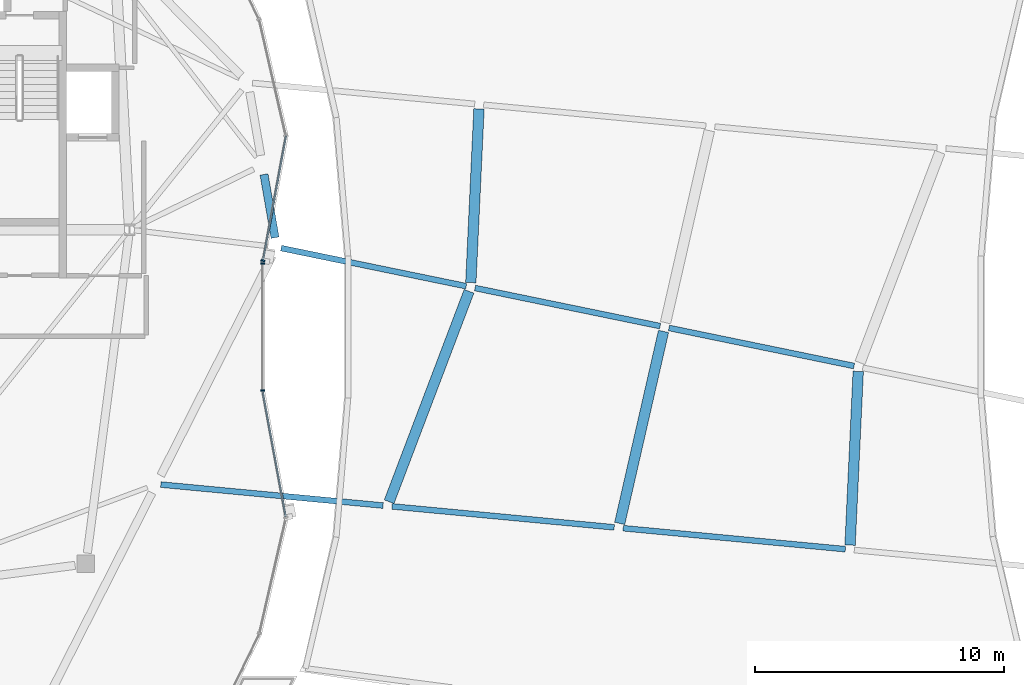
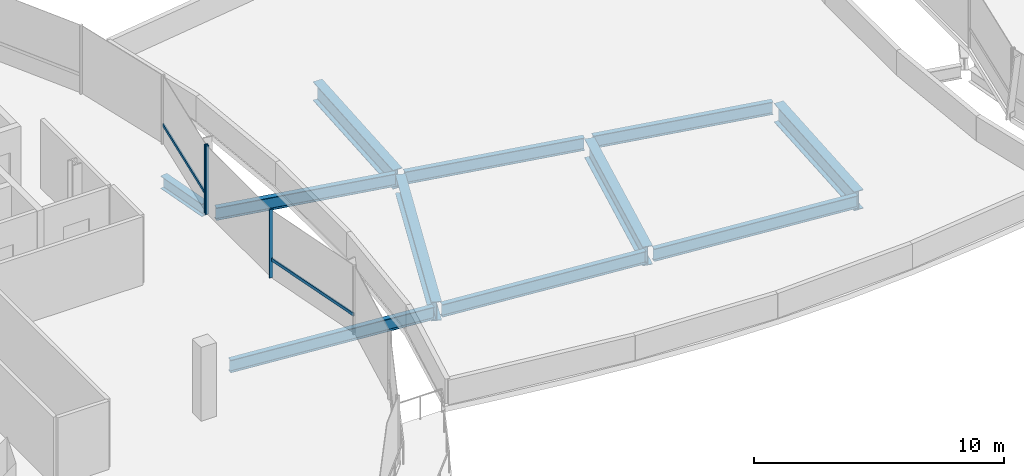
# One storey, part 7 of 31: 11 beams, 5 members, 2 elements without a shape of their own.
"""IFC4 building model written with IfcOpenShell, lengths in metres."""

from ifc_helpers import new_model, si_unit, direction, frame, origin, origin_2d, place, context, subcontext, project, spatial, rectangle, i_section, extrude, material, material_profile, profile_set, type_object, element, aggregate, save


model = new_model("IFC4")

# Units and contexts
model_context = context("Model", 3, precision=1e-05, world=origin(), true_north=direction((0.0, 1.0)))
body_context = subcontext(model_context, "Body", "Model", "MODEL_VIEW")
ifc_project = project(units=[si_unit("LENGTHUNIT", "METRE"), si_unit("AREAUNIT", "SQUARE_METRE"), si_unit("VOLUMEUNIT", "CUBIC_METRE"), si_unit("PLANEANGLEUNIT", "RADIAN"), si_unit("MASSUNIT", "GRAM", prefix="KILO"), si_unit("THERMODYNAMICTEMPERATUREUNIT", "KELVIN"), si_unit("POWERUNIT", "WATT")], contexts=[model_context])

# Site, building, storey
site_placement = place(None, origin())
site = spatial("IfcSite", under=ifc_project, at=site_placement, CompositionType="ELEMENT")
building_placement = place(site_placement, origin())
building = spatial("IfcBuilding", under=site, at=building_placement, Name="Cundina Bronze Exchange", CompositionType="ELEMENT")
storey_placement = place(building_placement, frame((0.0, 0.0, 275.60009765625)))
storey = spatial("IfcBuildingStorey", under=building, at=storey_placement, Name="L73", CompositionType="ELEMENT", Elevation=275.60009765625)

# Beams
ifc_material_1 = material(Name="Steel ASTM A992 Grade 50", Category="steel")
ifc_material_profile_1 = material_profile(ifc_material_1, i_section(OverallWidth=0.22998046875, OverallDepth=0.616943359375, WebThickness=0.01318359375, FlangeThickness=0.022216796875, FilletRadius=0.013916015625, at=origin_2d()), Name="W24X94", Category="steel")
ifc_profile_set_1 = profile_set([ifc_material_profile_1], Name="Steel ASTM A992 Grade 50")
beam_type_1 = type_object("IfcBeamType", Name="BM-FLR-W24B", PredefinedType="BEAM", material=ifc_profile_set_1)
for number, where, z_axis, x_axis, name in (
    (1, (-20.19580078125, -6.31689453125, -0.57861328125), (0.995572136276, -0.094000646124, 0.0), (0.094000646124, 0.995572136276, 0.0), "L73 Sky-Gate Longitudinal Girder Y1-P1"),
    (2, (-10.927001953125, -7.19189453125, -0.57861328125), (0.995572136276, -0.094000646124, 0.0), (0.094000646124, 0.995572136276, 0.0), "L73 Sky-Gate Longitudinal Girder Y1-P2"),
    (3, (-1.658203125, -8.06689453125, -0.57861328125), (0.995572136276, -0.094000646124, 0.0), (0.094000646124, 0.995572136276, 0.0), "L73 Sky-Gate Longitudinal Girder Y1-P3"),
):
    element("IfcBeam", number, at=place(storey_placement, frame(where, z_axis=z_axis, x_axis=x_axis)), inside=storey, type_object=beam_type_1, Name=name, PredefinedType="BEAM", context=body_context, shape_type="SweptSolid", body=[
        extrude(i_section(OverallWidth=0.22998046875, OverallDepth=0.616943359375, WebThickness=0.01318359375, FlangeThickness=0.022216796875, FilletRadius=0.013916015625, at=origin_2d()), origin(), (0.0, 0.0, 1.0), 8.949951171875),
    ])
for number, where, z_axis, x_axis, name in (
    (4, (-15.373779296875, 3.163818359375, -0.57861328125), (0.979471264571, -0.20158383338, 0.0), (0.20158383338, 0.979471264571, 0.0), "L73 Sky-Gate Longitudinal Girder Y2-P1"),
    (5, (-7.5986328125, 1.563720703125, -0.57861328125), (0.979477625294, -0.201552924934, 0.0), (0.201552924934, 0.979477625294, 0.0), "L73 Sky-Gate Longitudinal Girder Y2-P2"),
    (6, (0.17626953125, -0.036376953125, -0.57861328125), (0.979477625294, -0.201552924934, 0.0), (0.201552924934, 0.979477625294, 0.0), "L73 Sky-Gate Longitudinal Girder Y2-P3"),
):
    element("IfcBeam", number, at=place(storey_placement, frame(where, z_axis=z_axis, x_axis=x_axis)), inside=storey, type_object=beam_type_1, Name=name, PredefinedType="BEAM", context=body_context, shape_type="SweptSolid", body=[
        extrude(i_section(OverallWidth=0.22998046875, OverallDepth=0.616943359375, WebThickness=0.01318359375, FlangeThickness=0.022216796875, FilletRadius=0.013916015625, at=origin_2d()), origin(), (0.0, 0.0, 1.0), 7.577880859375),
    ])
ifc_material_profile_2 = material_profile(ifc_material_1, i_section(OverallWidth=0.324951171875, OverallDepth=0.615966796875, WebThickness=0.013916015625, FlangeThickness=0.021484375, FilletRadius=0.01611328125, at=origin_2d()), Name="W24X117", Category="steel")
ifc_profile_set_2 = profile_set([ifc_material_profile_2], Name="Steel ASTM A992 Grade 50")
beam_type_2 = type_object("IfcBeamType", Name="BM-RING-W24", PredefinedType="USERDEFINED", material=ifc_profile_set_2)
beam_1_placement = place(storey_placement, frame((-15.61669921875, 3.582275390625, -0.568115234375), z_axis=(-0.171593362587, 0.985167862811, 0.0), x_axis=(-0.985167862811, -0.171593362587, 0.0)))
element("IfcBeam", 7, at=beam_1_placement, inside=storey, type_object=beam_type_2, Name="L73 W Perimeter Ring Girder 00", ObjectType="GIRDER", PredefinedType="USERDEFINED", context=body_context, shape_type="SweptSolid", body=[
    extrude(i_section(OverallWidth=0.324951171875, OverallDepth=0.615966796875, WebThickness=0.013916015625, FlangeThickness=0.021484375, FilletRadius=0.01611328125, at=origin_2d()), origin(), (0.0, 0.0, 1.0), 2.57373046875),
])
ifc_material_profile_3 = material_profile(ifc_material_1, i_section(OverallWidth=0.41796875, OverallDepth=0.927001953125, WebThickness=0.019287109375, FlangeThickness=0.031982421875, FilletRadius=0.02392578125, at=origin_2d()), Name="W36X231", Category="steel")
ifc_profile_set_3 = profile_set([ifc_material_profile_3], Name="Steel ASTM A992 Grade 50")
beam_type_3 = type_object("IfcBeamType", Name="BM-WRN-W36B", PredefinedType="USERDEFINED", material=ifc_profile_set_3)
beam_2_placement = place(storey_placement, frame((-11.042236328125, -7.006591796875, -0.733642578125), z_axis=(0.354911890514, 0.934899753969, 0.0), x_axis=(-0.934899753969, 0.354911890514, 0.0)))
element("IfcBeam", 8, at=beam_2_placement, inside=storey, type_object=beam_type_3, Name="L73 Sky-Gate Transverse Girder X1-S", ObjectType="GIRDER", PredefinedType="USERDEFINED", context=body_context, shape_type="SweptSolid", body=[
    extrude(i_section(OverallWidth=0.41796875, OverallDepth=0.927001953125, WebThickness=0.019287109375, FlangeThickness=0.031982421875, FilletRadius=0.02392578125, at=origin_2d()), origin(), (0.0, 0.0, 1.0), 9.02587890625),
])
beam_3_placement = place(storey_placement, frame((-7.7666015625, 1.77978515625, -0.733642578125), z_axis=(0.046881448177, 0.998900460415, 0.0), x_axis=(-0.998900460415, 0.046881448177, 0.0)))
element("IfcBeam", 9, at=beam_3_placement, inside=storey, type_object=beam_type_3, Name="L73 Sky-Gate Transverse Girder X1-N", ObjectType="GIRDER", PredefinedType="USERDEFINED", context=body_context, shape_type="SweptSolid", body=[
    extrude(i_section(OverallWidth=0.41796875, OverallDepth=0.927001953125, WebThickness=0.019287109375, FlangeThickness=0.031982421875, FilletRadius=0.02392578125, at=origin_2d()), origin(), (0.0, 0.0, 1.0), 6.972900390625),
])
beam_4_placement = place(storey_placement, frame((-1.79736328125, -7.87451171875, -0.733642578125), z_axis=(0.222530984599, 0.974925618134, 0.0), x_axis=(-0.974925618134, 0.222530984599, 0.0)))
element("IfcBeam", 10, at=beam_4_placement, inside=storey, type_object=beam_type_3, Name="L73 Sky-Gate Transverse Girder X2-S", ObjectType="GIRDER", PredefinedType="USERDEFINED", context=body_context, shape_type="SweptSolid", body=[
    extrude(i_section(OverallWidth=0.41796875, OverallDepth=0.927001953125, WebThickness=0.019287109375, FlangeThickness=0.031982421875, FilletRadius=0.02392578125, at=origin_2d()), origin(), (0.0, 0.0, 1.0), 7.89697265625),
])
beam_5_placement = place(storey_placement, frame((7.439697265625, -8.7451171875, -0.733642578125), z_axis=(0.046881448177, 0.998900460415, 0.0), x_axis=(-0.998900460415, 0.046881448177, 0.0)))
element("IfcBeam", 11, at=beam_5_placement, inside=storey, type_object=beam_type_3, Name="L73 Sky-Gate Transverse Girder X3-S", ObjectType="GIRDER", PredefinedType="USERDEFINED", context=body_context, shape_type="SweptSolid", body=[
    extrude(i_section(OverallWidth=0.41796875, OverallDepth=0.927001953125, WebThickness=0.019287109375, FlangeThickness=0.031982421875, FilletRadius=0.02392578125, at=origin_2d()), origin(), (0.0, 0.0, 1.0), 6.972900390625),
])

# Curtain wall, member
ifc_material_2 = material(Name="Anodised Bronze Aluminium 6063-T6", Category="aluminium")
curtain_wall_type = type_object("IfcCurtainWallType", Name="CWS-CRN-TMD", PredefinedType="NOTDEFINED", material=ifc_material_2)
curtain_wall_1_placement = place(storey_placement, origin())
curtain_wall_1 = element("IfcCurtainWall", 12, at=curtain_wall_1_placement, inside=storey, type_object=curtain_wall_type, Name="L73 CW-07 Curtain Wall Run CWR-L73-W1", PredefinedType="NOTDEFINED")
ifc_material_profile_4 = material_profile(ifc_material_2, rectangle(XDim=0.06494140625, YDim=0.159912109375, at=origin_2d()), Name="AL65X160", Category="aluminium")
ifc_profile_set_4 = profile_set([ifc_material_profile_4], Name="Anodised Bronze Aluminium 6063-T6")
member_type_1 = type_object("IfcMemberType", Name="CWM-MUL-160", PredefinedType="MULLION", material=ifc_profile_set_4)
member_1_placement = place(storey_placement, frame((-16.10302734375, 2.660888671875, 0.0), z_axis=(0.0, 0.0, 1.0), x_axis=(0.181549039717, 0.983381892338, 0.0)))
member_1 = element("IfcMember", 13, at=member_1_placement, type_object=member_type_1, Name="CW-07 Mullion 1", PredefinedType="MULLION", context=body_context, shape_type="SweptSolid", body=[
    extrude(rectangle(XDim=0.06494140625, YDim=0.159912109375, at=origin_2d()), origin(), (0.0, 0.0, 1.0), 3.33984375),
])

# Curtain wall, members
curtain_wall_2_placement = place(storey_placement, origin())
curtain_wall_2 = element("IfcCurtainWall", 14, at=curtain_wall_2_placement, inside=storey, type_object=curtain_wall_type, Name="L73 CW-07 Curtain Wall Run CWR-L73-W4", PredefinedType="NOTDEFINED")
member_2_placement = place(storey_placement, frame((-16.113037109375, -2.552490234375, 0.0), z_axis=(0.0, 0.0, 1.0), x_axis=(0.0, 1.0, 0.0)))
member_2 = element("IfcMember", 15, at=member_2_placement, type_object=member_type_1, Name="CW-07 Mullion 6", PredefinedType="MULLION", context=body_context, shape_type="SweptSolid", body=[
    extrude(rectangle(XDim=0.06494140625, YDim=0.159912109375, at=origin_2d()), origin(), (0.0, 0.0, 1.0), 3.33984375),
])
member_3_placement = place(storey_placement, frame((-16.113037109375, 2.552490234375, 0.0), z_axis=(0.0, 0.0, 1.0), x_axis=(0.0, 1.0, 0.0)))
member_3 = element("IfcMember", 16, at=member_3_placement, type_object=member_type_1, Name="CW-07 End Mullion", PredefinedType="MULLION", context=body_context, shape_type="SweptSolid", body=[
    extrude(rectangle(XDim=0.06494140625, YDim=0.159912109375, at=origin_2d()), origin(), (0.0, 0.0, 1.0), 3.33984375),
])

# Member
ifc_material_profile_5 = material_profile(ifc_material_2, rectangle(XDim=0.06494140625, YDim=0.14990234375, at=origin_2d()), Name="AL65X150", Category="aluminium")
ifc_profile_set_5 = profile_set([ifc_material_profile_5], Name="Anodised Bronze Aluminium 6063-T6")
member_type_2 = type_object("IfcMemberType", Name="CWM-TRN-150", PredefinedType="USERDEFINED", material=ifc_profile_set_5)
member_4_placement = place(storey_placement, frame((-16.0966796875, 2.696044921875, 0.919921875), z_axis=(0.181607073865, 0.983371176475, 0.0), x_axis=(-0.983371176475, 0.181607073865, 0.0)))
member_4 = element("IfcMember", 17, at=member_4_placement, type_object=member_type_2, Name="CW-07 Spandrel Transom 1", ObjectType="TRANSOM", PredefinedType="USERDEFINED", context=body_context, shape_type="SweptSolid", body=[
    extrude(rectangle(XDim=0.06494140625, YDim=0.14990234375, at=origin_2d()), origin(), (0.0, 0.0, 1.0), 5.058837890625),
])

aggregate(curtain_wall_1, [member_1, member_4])

member_5_placement = place(storey_placement, frame((-15.191162109375, -7.600341796875, 0.919921875), z_axis=(-0.181560403715, 0.983379794282, 0.0), x_axis=(-0.983379794282, -0.181560403715, 0.0)))
member_5 = element("IfcMember", 18, at=member_5_placement, type_object=member_type_2, Name="CW-07 Spandrel Transom 5", ObjectType="TRANSOM", PredefinedType="USERDEFINED", context=body_context, shape_type="SweptSolid", body=[
    extrude(rectangle(XDim=0.06494140625, YDim=0.14990234375, at=origin_2d()), origin(), (0.0, 0.0, 1.0), 5.05859375),
])

aggregate(curtain_wall_2, [member_5, member_2, member_3])

save(model, "model.ifc")
